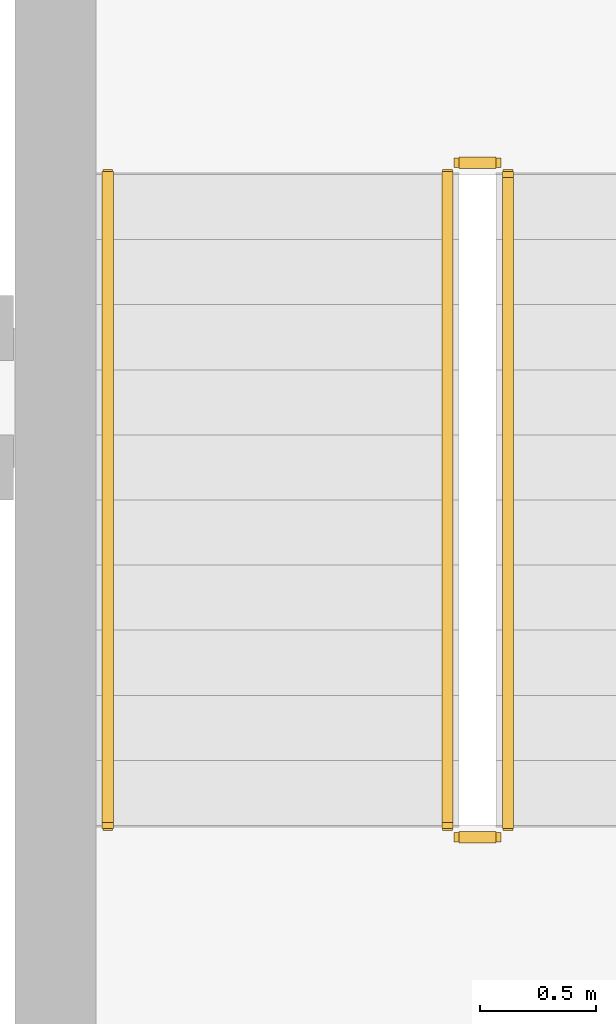
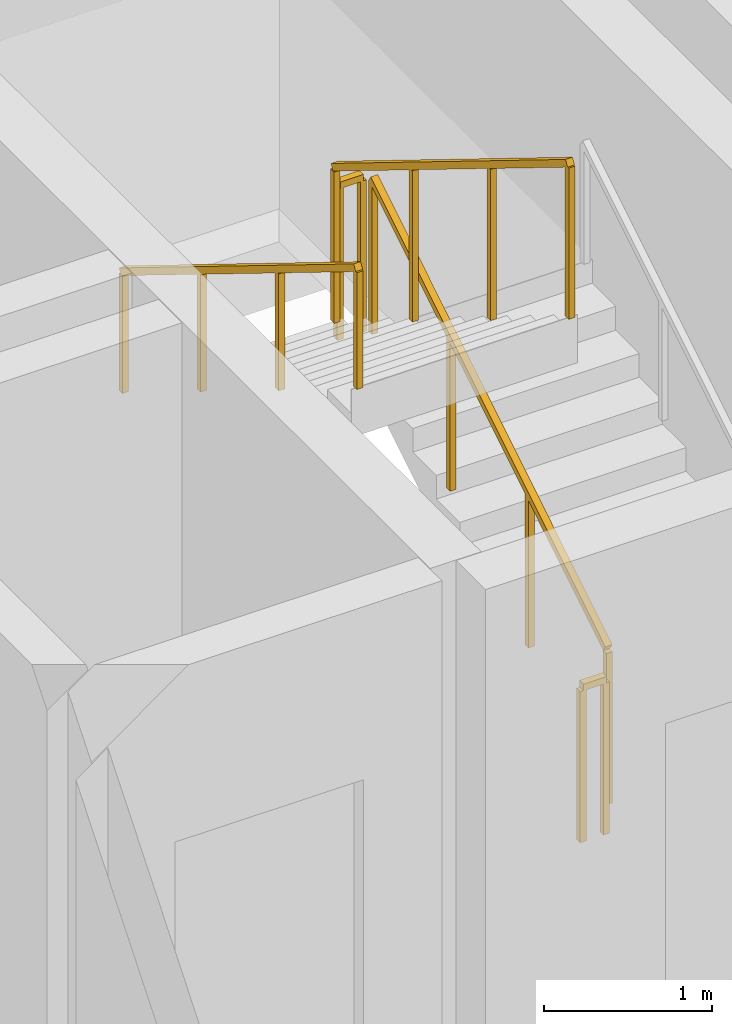
# One storey, part 14 of 15: 5 railings.
"""IFC4 building model written with IfcOpenShell, lengths in metres."""

from ifc_helpers import new_model, si_unit, direction, frame, origin, origin_2d, place, context, subcontext, project, spatial, rectangle, extrude, material, type_object, element, save


model = new_model("IFC4")

# Units and contexts
model_context = context("Model", 3, precision=1e-05, world=origin(), true_north=direction((0.0, 1.0)))
body_context = subcontext(model_context, "Body", "Model", "MODEL_VIEW")
ifc_project = project(units=[si_unit("LENGTHUNIT", "METRE"), si_unit("AREAUNIT", "SQUARE_METRE"), si_unit("VOLUMEUNIT", "CUBIC_METRE"), si_unit("PLANEANGLEUNIT", "RADIAN"), si_unit("MASSUNIT", "GRAM", prefix="KILO")], contexts=[model_context])

# Site, building, storey
site_placement = place(None, origin())
site = spatial("IfcSite", under=ifc_project, at=site_placement, CompositionType="ELEMENT")
building_placement = place(site_placement, origin())
building = spatial("IfcBuilding", under=site, at=building_placement, Name="Kaelvorn Grand Hotel", CompositionType="ELEMENT")
storey_placement = place(building_placement, frame((0.0, 0.0, 142.949951171875)))
storey = spatial("IfcBuildingStorey", under=building, at=storey_placement, Name="L34", CompositionType="ELEMENT", Elevation=142.949951171875)

# Railings
ifc_material = material(Name="Stainless Steel", Category="steel")
railing_type_1 = type_object("IfcRailingType", Name="RL-HANDRAIL-900", PredefinedType="HANDRAIL", material=ifc_material)
railing_1_placement = place(storey_placement, frame((63.3701171875, 44.56005859375, 2.07275390625)))
element("IfcRailing", 1, at=railing_1_placement, inside=storey, type_object=railing_type_1, Name="L34 ST3 stair handrail 2", PredefinedType="HANDRAIL", context=body_context, shape_type="SweptSolid", body=[
    extrude(rectangle(XDim=0.048095703125, YDim=0.048095703125, at=origin_2d()), frame((0.0, 0.0, 0.8759765625), z_axis=(0.0, -0.851089632645, 0.525020415988), x_axis=(1.0, 0.0, 0.0)), (0.0, 0.0, 1.0), 3.2900390625),
    extrude(rectangle(XDim=0.0419921875, YDim=0.0419921875, at=origin_2d()), origin(), (0.0, 0.0, 1.0), 0.851806640625),
    extrude(rectangle(XDim=0.0419921875, YDim=0.0419921875, at=origin_2d()), frame((0.0, -0.933349609375, 0.57568359375)), (0.0, 0.0, 1.0), 0.851806640625),
    extrude(rectangle(XDim=0.0419921875, YDim=0.0419921875, at=origin_2d()), frame((0.0, -1.86669921875, 1.151611328125)), (0.0, 0.0, 1.0), 0.851806640625),
    extrude(rectangle(XDim=0.0419921875, YDim=0.0419921875, at=origin_2d()), frame((0.0, -2.800048828125, 1.727294921875)), (0.0, 0.0, 1.0), 0.851806640625),
])
railing_type_2 = type_object("IfcRailingType", Name="RL-STAIR-GUARD-1150", PredefinedType="BALUSTRADE", material=ifc_material)
railing_2_placement = place(storey_placement, frame((65.090087890625, 41.760009765625, 0.1728515625)))
element("IfcRailing", 2, at=railing_2_placement, inside=storey, type_object=railing_type_2, Name="L34 ST3 stair guard 1", PredefinedType="BALUSTRADE", context=body_context, shape_type="SweptSolid", body=[
    extrude(rectangle(XDim=0.048095703125, YDim=0.048095703125, at=origin_2d()), frame((0.0, 0.0, 1.1259765625), z_axis=(0.0, 0.851089632645, 0.525020415988), x_axis=(-1.0, 0.0, 0.0)), (0.0, 0.0, 1.0), 3.2900390625),
    extrude(rectangle(XDim=0.0419921875, YDim=0.0419921875, at=origin_2d()), origin(), (0.0, 0.0, 1.0), 1.101806640625),
    extrude(rectangle(XDim=0.0419921875, YDim=0.0419921875, at=origin_2d()), frame((0.0, 0.933349609375, 0.57568359375)), (0.0, 0.0, 1.0), 1.101806640625),
    extrude(rectangle(XDim=0.0419921875, YDim=0.0419921875, at=origin_2d()), frame((0.0, 1.86669921875, 1.151611328125)), (0.0, 0.0, 1.0), 1.101806640625),
    extrude(rectangle(XDim=0.0419921875, YDim=0.0419921875, at=origin_2d()), frame((0.0, 2.800048828125, 1.727294921875)), (0.0, 0.0, 1.0), 1.101806640625),
])
railing_3_placement = place(storey_placement, frame((65.0400390625, 44.610107421875, 1.900146484375)))
element("IfcRailing", 3, at=railing_3_placement, inside=storey, type_object=railing_type_2, Name="L34 ST3 stair guard 2", PredefinedType="BALUSTRADE", context=body_context, shape_type="SweptSolid", body=[
    extrude(rectangle(XDim=0.048095703125, YDim=0.048095703125, at=origin_2d()), frame((0.0, 0.0, 1.1259765625), z_axis=(-1.0, 0.0, 0.0), x_axis=(0.0, -1.0, 0.0)), (0.0, 0.0, 1.0), 0.16015625),
    extrude(rectangle(XDim=0.0419921875, YDim=0.0419921875, at=origin_2d()), origin(), (0.0, 0.0, 1.0), 1.101806640625),
    extrude(rectangle(XDim=0.0419921875, YDim=0.0419921875, at=origin_2d()), frame((-0.16015625, 0.0, 0.0)), (0.0, 0.0, 1.0), 1.101806640625),
])
railing_4_placement = place(storey_placement, frame((64.830078125, 44.56005859375, 2.07275390625)))
element("IfcRailing", 4, at=railing_4_placement, inside=storey, type_object=railing_type_2, Name="L34 ST3 stair guard 3", PredefinedType="BALUSTRADE", context=body_context, shape_type="SweptSolid", body=[
    extrude(rectangle(XDim=0.048095703125, YDim=0.048095703125, at=origin_2d()), frame((0.0, 0.0, 1.1259765625), z_axis=(0.0, -0.851089632645, 0.525020415988), x_axis=(1.0, 0.0, 0.0)), (0.0, 0.0, 1.0), 3.2900390625),
    extrude(rectangle(XDim=0.0419921875, YDim=0.0419921875, at=origin_2d()), origin(), (0.0, 0.0, 1.0), 1.101806640625),
    extrude(rectangle(XDim=0.0419921875, YDim=0.0419921875, at=origin_2d()), frame((0.0, -0.933349609375, 0.57568359375)), (0.0, 0.0, 1.0), 1.101806640625),
    extrude(rectangle(XDim=0.0419921875, YDim=0.0419921875, at=origin_2d()), frame((0.0, -1.86669921875, 1.151611328125)), (0.0, 0.0, 1.0), 1.101806640625),
    extrude(rectangle(XDim=0.0419921875, YDim=0.0419921875, at=origin_2d()), frame((0.0, -2.800048828125, 1.727294921875)), (0.0, 0.0, 1.0), 1.101806640625),
])
railing_5_placement = place(storey_placement, frame((65.0400390625, 41.7099609375, 0.0)))
element("IfcRailing", 5, at=railing_5_placement, inside=storey, type_object=railing_type_2, Name="L34 ST3 stair guard 4", PredefinedType="BALUSTRADE", context=body_context, shape_type="SweptSolid", body=[
    extrude(rectangle(XDim=0.048095703125, YDim=0.048095703125, at=origin_2d()), frame((0.0, 0.0, 1.1259765625), z_axis=(-1.0, 0.0, 0.0), x_axis=(0.0, -1.0, 0.0)), (0.0, 0.0, 1.0), 0.16015625),
    extrude(rectangle(XDim=0.0419921875, YDim=0.0419921875, at=origin_2d()), origin(), (0.0, 0.0, 1.0), 1.101806640625),
    extrude(rectangle(XDim=0.0419921875, YDim=0.0419921875, at=origin_2d()), frame((-0.16015625, 0.0, 0.0)), (0.0, 0.0, 1.0), 1.101806640625),
])

save(model, "model.ifc")
